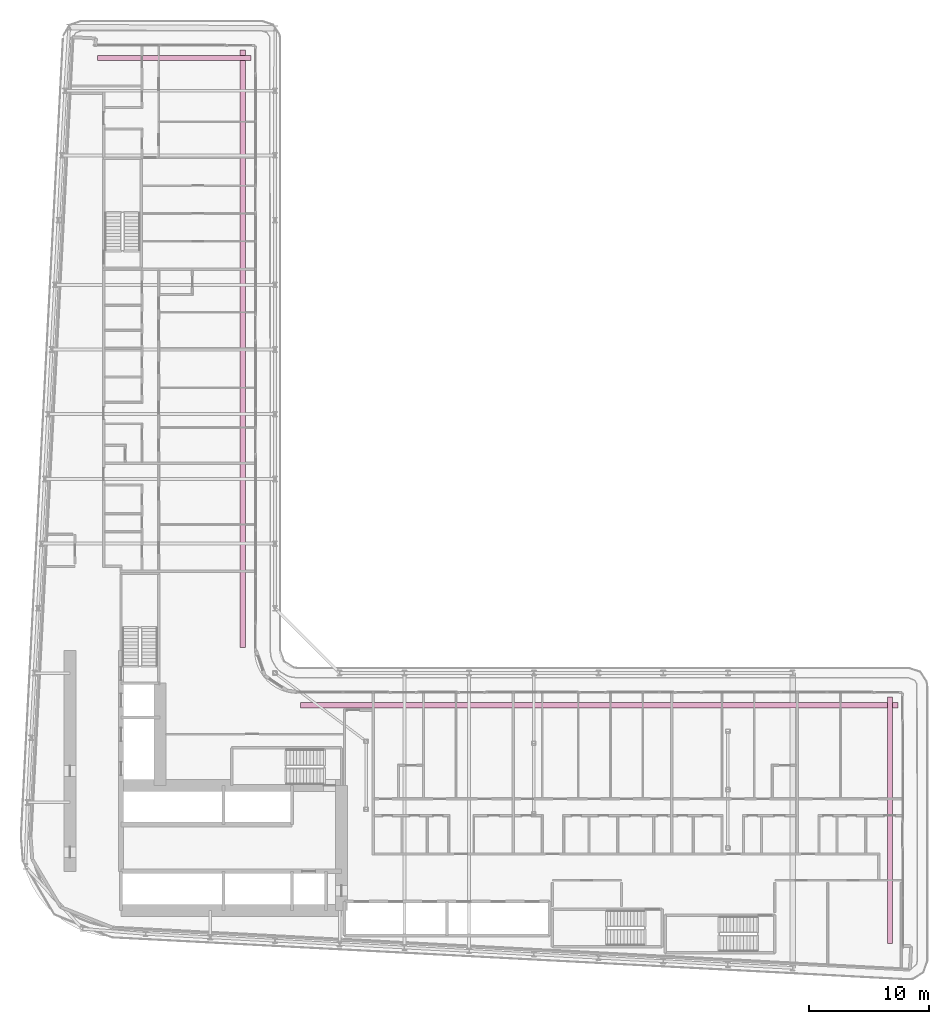
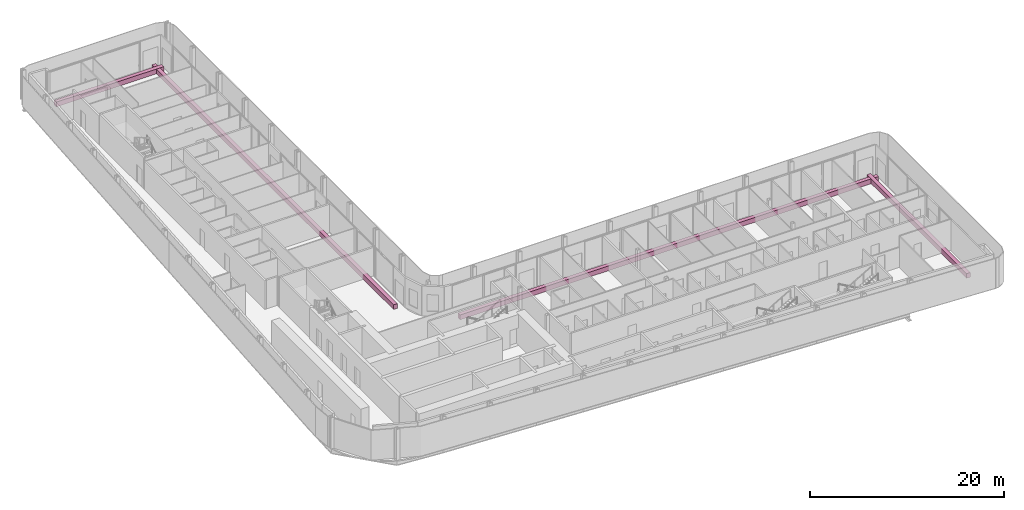
# One storey, part 28 of 28: 4 furniture elements.
"""IFC4 building model written with IfcOpenShell, lengths in metres."""

from ifc_helpers import new_model, si_unit, direction, frame, origin, origin_2d, place, context, subcontext, project, spatial, rectangle, extrude, material, type_object, element, save


model = new_model("IFC4")

# Units and contexts
model_context = context("Model", 3, precision=1e-05, world=origin(), true_north=direction((0.0, 1.0)))
body_context = subcontext(model_context, "Body", "Model", "MODEL_VIEW")
ifc_project = project(units=[si_unit("LENGTHUNIT", "METRE"), si_unit("AREAUNIT", "SQUARE_METRE"), si_unit("VOLUMEUNIT", "CUBIC_METRE"), si_unit("PLANEANGLEUNIT", "RADIAN"), si_unit("MASSUNIT", "GRAM", prefix="KILO")], contexts=[model_context])

# Site, building, storey
site_placement = place(None, origin())
site = spatial("IfcSite", under=ifc_project, at=site_placement, CompositionType="ELEMENT")
building_placement = place(site_placement, origin())
building = spatial("IfcBuilding", under=site, at=building_placement, Name="Kheshtan School and Residences Tower", CompositionType="ELEMENT")
storey_placement = place(building_placement, frame((0.0, 0.0, 73.39990234375)))
storey = spatial("IfcBuildingStorey", under=building, at=storey_placement, Name="L17", CompositionType="ELEMENT", Elevation=73.39990234375)

# Furniture
ifc_material = material(Name="Precast concrete C30/37 in terracotta finish", Category="masonry")
furniture_type = type_object("IfcFurnitureType", Name="Planter trough", AssemblyPlace="NOTDEFINED", PredefinedType="USERDEFINED", material=ifc_material)
furniture_1_placement = place(storey_placement, frame((39.196044921875, 96.925048828125, 0.0), z_axis=(0.0, 0.0, 1.0), x_axis=(1.0, 0.0, 0.0)))
element("IfcFurniture", 1, at=furniture_1_placement, inside=storey, type_object=furniture_type, Name="Planter L17", ObjectType="PLANTER", PredefinedType="USERDEFINED", context=body_context, shape_type="SweptSolid", body=[
    extrude(rectangle(XDim=12.80810546875, YDim=0.449951171875, at=origin_2d()), origin(), (0.0, 0.0, 1.0), 0.60009765625),
])
for number, where, z_axis, x_axis, name in (
    (2, (44.925048828125, 72.6650390625, 0.0), (0.0, 0.0, 1.0), (0.0, -1.0, 0.0), "Planter L17"),
    (3, (74.6650390625, 42.925048828125, 0.0), (0.0, 0.0, 1.0), (1.0, 0.0, 0.0), "Planter L17"),
):
    element("IfcFurniture", number, at=place(storey_placement, frame(where, z_axis=z_axis, x_axis=x_axis)), inside=storey, type_object=furniture_type, Name=name, ObjectType="PLANTER", PredefinedType="USERDEFINED", context=body_context, shape_type="SweptSolid", body=[
        extrude(rectangle(XDim=49.8701171875, YDim=0.449951171875, at=origin_2d()), origin(), (0.0, 0.0, 1.0), 0.60009765625),
    ])
furniture_2_placement = place(storey_placement, frame((98.925048828125, 33.306884765625, 0.0), z_axis=(0.0, 0.0, 1.0), x_axis=(0.0, -1.0, 0.0)))
element("IfcFurniture", 4, at=furniture_2_placement, inside=storey, type_object=furniture_type, Name="Planter L17", ObjectType="PLANTER", PredefinedType="USERDEFINED", context=body_context, shape_type="SweptSolid", body=[
    extrude(rectangle(XDim=20.5859375, YDim=0.449951171875, at=origin_2d()), origin(), (0.0, 0.0, 1.0), 0.60009765625),
])

save(model, "model.ifc")
